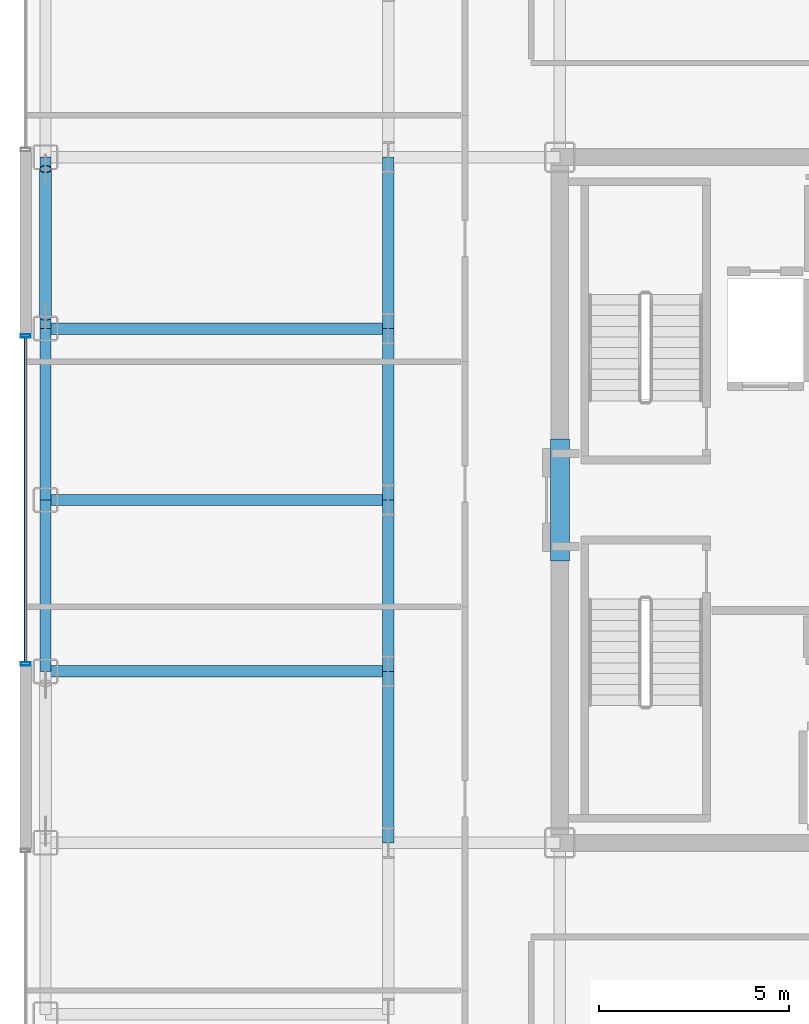
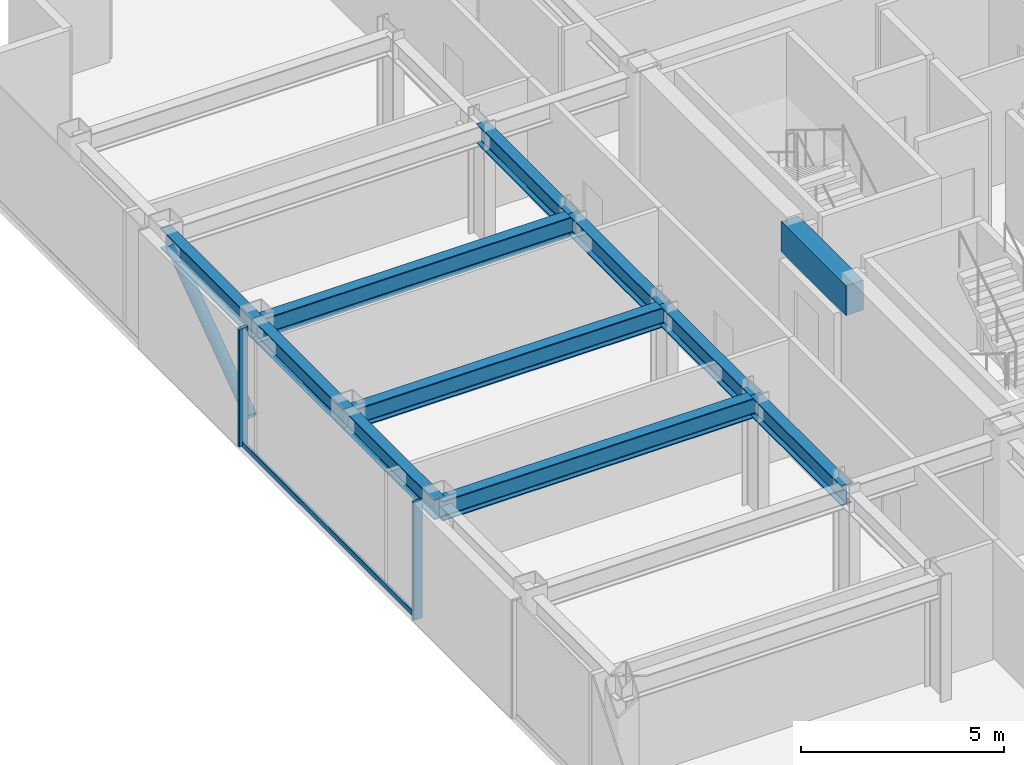
# One storey, part 5 of 22: 11 beams, 4 members, 1 element without a shape of its own.
"""IFC4 building model written with IfcOpenShell, lengths in metres."""

from ifc_helpers import new_model, si_unit, direction, frame, origin, origin_2d, place, context, subcontext, project, spatial, rectangle, hollow_rectangle, hollow_circle, i_section, extrude, source, transform, mapped, material, layer, layer_set, material_profile, profile_set, type_object, element, aggregate, save


model = new_model("IFC4")

# Units and contexts
model_context = context("Model", 3, precision=1e-05, world=origin(), true_north=direction((0.0, 1.0)))
body_context = subcontext(model_context, "Body", "Model", "MODEL_VIEW")
ifc_project = project(units=[si_unit("LENGTHUNIT", "METRE"), si_unit("AREAUNIT", "SQUARE_METRE"), si_unit("VOLUMEUNIT", "CUBIC_METRE"), si_unit("PLANEANGLEUNIT", "RADIAN"), si_unit("MASSUNIT", "GRAM", prefix="KILO")], contexts=[model_context])

# Site, building, storey
site_placement = place(None, origin())
site = spatial("IfcSite", under=ifc_project, at=site_placement, CompositionType="ELEMENT")
building_placement = place(site_placement, origin())
building = spatial("IfcBuilding", under=site, at=building_placement, Name="Nefas-Gora Pilgrimage Tower", CompositionType="ELEMENT")
storey_placement = place(building_placement, frame((0.0, 0.0, 218.0)))
storey = spatial("IfcBuildingStorey", under=building, at=storey_placement, Name="L54", CompositionType="ELEMENT", Elevation=218.0)

# Beams
ifc_material_1 = material(Name="Concrete C50/60", Category="concrete")
ifc_material_profile_1 = material_profile(ifc_material_1, rectangle(XDim=0.5, YDim=0.89990234375, at=origin_2d()), Name="RC 500x900")
ifc_profile_set_1 = profile_set([ifc_material_profile_1], Name="Concrete C50/60")
beam_type_1 = type_object("IfcBeamType", Name="BM-LIN-RC900", PredefinedType="LINTEL", material=ifc_profile_set_1)
shared_shape_1 = source(origin(), body_context, "Body", "SweptSolid", [
    extrude(rectangle(XDim=0.5, YDim=0.89990234375, at=origin_2d()), origin(), (0.0, 0.0, 1.0), 3.2001953125),
])
beam_placement = place(storey_placement, frame((-11.25, -1.60009765625, 3.10009765625), z_axis=(0.0, 1.0, 0.0), x_axis=(-1.0, 0.0, 0.0)))
element("IfcBeam", 1, at=beam_placement, inside=storey, type_object=beam_type_1, Name="L54 Core Coupling Lintel Beam W", PredefinedType="LINTEL", context=body_context, shape_type="MappedRepresentation", body=[
    mapped(shared_shape_1, transform((0.0, 0.0, 0.0), x_axis=(1.0, 0.0, 0.0), y_axis=(0.0, 1.0, 0.0), z_axis=(0.0, 0.0, 1.0), scale=1.0)),
])
ifc_material_2 = material(Name="Steel S355", Category="steel")
ifc_material_profile_2 = material_profile(ifc_material_2, i_section(OverallWidth=0.300048828125, OverallDepth=0.60009765625, WebThickness=0.015380859375, FlangeThickness=0.030029296875, FilletRadius=0.027099609375, at=origin_2d()), Name="HEB 600")
ifc_profile_set_2 = profile_set([ifc_material_profile_2], Name="Steel S355")
beam_type_2 = type_object("IfcBeamType", Name="BM-SPN-HEB450", PredefinedType="SPANDREL", material=ifc_profile_set_2)
shared_shape_2 = source(origin(), body_context, "Body", "SweptSolid", [
    extrude(i_section(OverallWidth=0.300048828125, OverallDepth=0.60009765625, WebThickness=0.015380859375, FlangeThickness=0.030029296875, FilletRadius=0.027099609375, at=origin_2d()), origin(), (0.0, 0.0, 1.0), 4.5),
])
for number, where, z_axis, x_axis, name in (
    (2, (-24.75, -4.5, 3.25), (0.0, 1.0, 0.0), (-1.0, 0.0, 0.0), "L54 SP-03 beam"),
    (3, (-24.75, 0.0, 3.25), (0.0, 1.0, 0.0), (-1.0, 0.0, 0.0), "L54 SP-03 beam"),
    (4, (-24.75, 4.5, 3.25), (0.0, 1.0, 0.0), (-1.0, 0.0, 0.0), "L54 SP-03 beam"),
):
    element("IfcBeam", number, at=place(storey_placement, frame(where, z_axis=z_axis, x_axis=x_axis)), inside=storey, type_object=beam_type_2, Name=name, PredefinedType="SPANDREL", context=body_context, shape_type="MappedRepresentation", body=[
        mapped(shared_shape_2, transform((0.0, 0.0, 0.0), x_axis=(1.0, 0.0, 0.0), y_axis=(0.0, 1.0, 0.0), z_axis=(0.0, 0.0, 1.0), scale=1.0)),
    ])
ifc_material_profile_3 = material_profile(ifc_material_2, i_section(OverallWidth=0.300048828125, OverallDepth=0.60009765625, WebThickness=0.015380859375, FlangeThickness=0.030029296875, FilletRadius=0.027099609375, at=origin_2d()), Name="HEB 600")
ifc_profile_set_3 = profile_set([ifc_material_profile_3], Name="Steel S355")
beam_type_3 = type_object("IfcBeamType", Name="BM-GIR-HEB600", PredefinedType="BEAM", material=ifc_profile_set_3)
shared_shape_3 = source(origin(), body_context, "Body", "SweptSolid", [
    extrude(i_section(OverallWidth=0.300048828125, OverallDepth=0.60009765625, WebThickness=0.015380859375, FlangeThickness=0.030029296875, FilletRadius=0.027099609375, at=origin_2d()), origin(), (0.0, 0.0, 1.0), 9.0),
])
for number, where, z_axis, x_axis, name in (
    (5, (-24.75, -4.5, 3.25), (1.0, 0.0, 0.0), (0.0, 1.0, 0.0), "L54 G-04 beam"),
    (6, (-24.75, 0.0, 3.25), (1.0, 0.0, 0.0), (0.0, 1.0, 0.0), "L54 G-04 beam"),
    (7, (-24.75, 4.5, 3.25), (1.0, 0.0, 0.0), (0.0, 1.0, 0.0), "L54 G-04 beam"),
):
    element("IfcBeam", number, at=place(storey_placement, frame(where, z_axis=z_axis, x_axis=x_axis)), inside=storey, type_object=beam_type_3, Name=name, PredefinedType="BEAM", context=body_context, shape_type="MappedRepresentation", body=[
        mapped(shared_shape_3, transform((0.0, 0.0, 0.0), x_axis=(1.0, 0.0, 0.0), y_axis=(0.0, 1.0, 0.0), z_axis=(0.0, 0.0, 1.0), scale=1.0)),
    ])
shared_shape_4 = source(origin(), body_context, "Body", "SweptSolid", [
    extrude(i_section(OverallWidth=0.300048828125, OverallDepth=0.60009765625, WebThickness=0.015380859375, FlangeThickness=0.030029296875, FilletRadius=0.027099609375, at=origin_2d()), origin(), (0.0, 0.0, 1.0), 4.5),
])
for number, where, z_axis, x_axis, name in (
    (8, (-15.75, -9.0, 3.25), (0.0, 1.0, 0.0), (-1.0, 0.0, 0.0), "L54 G-04 beam"),
    (9, (-15.75, -4.5, 3.25), (0.0, 1.0, 0.0), (-1.0, 0.0, 0.0), "L54 G-04 beam"),
    (10, (-15.75, 0.0, 3.25), (0.0, 1.0, 0.0), (-1.0, 0.0, 0.0), "L54 G-04 beam"),
    (11, (-15.75, 4.5, 3.25), (0.0, 1.0, 0.0), (-1.0, 0.0, 0.0), "L54 G-04 beam"),
):
    element("IfcBeam", number, at=place(storey_placement, frame(where, z_axis=z_axis, x_axis=x_axis)), inside=storey, type_object=beam_type_3, Name=name, PredefinedType="BEAM", context=body_context, shape_type="MappedRepresentation", body=[
        mapped(shared_shape_4, transform((0.0, 0.0, 0.0), x_axis=(1.0, 0.0, 0.0), y_axis=(0.0, 1.0, 0.0), z_axis=(0.0, 0.0, 1.0), scale=1.0)),
    ])

# Member
ifc_material_profile_4 = material_profile(ifc_material_2, hollow_circle(Radius=0.161865234375, WallThickness=0.02001953125, at=origin_2d()), Name="CHS 323.9x20")
ifc_profile_set_4 = profile_set([ifc_material_profile_4], Name="Steel S355")
member_type_1 = type_object("IfcMemberType", Name="MEM-TUBE-324", PredefinedType="BRACE", material=ifc_profile_set_4)
shared_shape_5 = source(origin(), body_context, "Body", "SweptSolid", [
    extrude(hollow_circle(Radius=0.161865234375, WallThickness=0.02001953125, at=origin_2d()), origin(), (0.0, 0.0, 1.0), 4.763671875),
])
member_1_placement = place(storey_placement, frame((-24.75, 4.81298828125, 0.3740234375), z_axis=(0.0, 0.813255312614, 0.581907034246), x_axis=(-1.0, 0.0, 0.0)))
element("IfcMember", 12, at=member_1_placement, inside=storey, type_object=member_type_1, Name="L54 Perimeter Tube Diagonal Brace W2", PredefinedType="BRACE", context=body_context, shape_type="MappedRepresentation", body=[
    mapped(shared_shape_5, transform((0.0, 0.0, 0.0), x_axis=(1.0, 0.0, 0.0), y_axis=(0.0, 1.0, 0.0), z_axis=(0.0, 0.0, 1.0), scale=1.0)),
])

# Curtain wall, members
ifc_material_3 = material(Name="Dark ceramic-fritted solar-control aluminium-glass curtain wall", Category="aluminium")
ifc_layer = layer(ifc_material_3, 0.219970703125)
ifc_layer_set = layer_set([ifc_layer], Name="Dark ceramic-fritted solar-control aluminium-glass curtain wall")
curtain_wall_type = type_object("IfcCurtainWallType", Name="CW-SYS-3", PredefinedType="NOTDEFINED", material=ifc_layer_set)
curtain_wall_placement = place(storey_placement, origin())
curtain_wall = element("IfcCurtainWall", 13, at=curtain_wall_placement, inside=storey, type_object=curtain_wall_type, Name="L54 Unitised Curtain Wall CW3", PredefinedType="NOTDEFINED")
ifc_material_4 = material(Name="Anodised architectural aluminium", Category="aluminium")
ifc_material_profile_5 = material_profile(ifc_material_4, hollow_rectangle(XDim=0.090087890625, YDim=0.260009765625, WallThickness=0.006103515625, InnerFilletRadius=0.006103515625, OuterFilletRadius=0.011962890625, at=origin_2d()), Name="ALU MULLION 90x260")
ifc_profile_set_5 = profile_set([ifc_material_profile_5], Name="Anodised architectural aluminium")
member_type_2 = type_object("IfcMemberType", Name="CWM-MUL-3", PredefinedType="MULLION", material=ifc_profile_set_5)
shared_shape_6 = source(origin(), body_context, "Body", "SweptSolid", [
    extrude(hollow_rectangle(XDim=0.090087890625, YDim=0.260009765625, WallThickness=0.006103515625, InnerFilletRadius=0.006103515625, OuterFilletRadius=0.011962890625, at=origin_2d()), origin(), (0.0, 0.0, 1.0), 3.550048828125),
])
member_2_placement = place(storey_placement, frame((-25.27001953125, 4.304931640625, 0.0), z_axis=(0.0, 0.0, 1.0), x_axis=(0.0, -1.0, 0.0)))
member_2 = element("IfcMember", 14, at=member_2_placement, type_object=member_type_2, Name="CW3 Mullion 1", PredefinedType="MULLION", context=body_context, shape_type="MappedRepresentation", body=[
    mapped(shared_shape_6, transform((0.0, 0.0, 0.0), x_axis=(1.0, 0.0, 0.0), y_axis=(0.0, 1.0, 0.0), z_axis=(0.0, 0.0, 1.0), scale=1.0)),
])
member_3_placement = place(storey_placement, frame((-25.27001953125, -4.304931640625, 0.0), z_axis=(0.0, 0.0, 1.0), x_axis=(0.0, -1.0, 0.0)))
member_3 = element("IfcMember", 15, at=member_3_placement, type_object=member_type_2, Name="CW3 Mullion 2", PredefinedType="MULLION", context=body_context, shape_type="MappedRepresentation", body=[
    mapped(shared_shape_6, transform((0.0, 0.0, 0.0), x_axis=(1.0, 0.0, 0.0), y_axis=(0.0, 1.0, 0.0), z_axis=(0.0, 0.0, 1.0), scale=1.0)),
])
ifc_material_profile_6 = material_profile(ifc_material_4, hollow_rectangle(XDim=0.080078125, YDim=0.159912109375, WallThickness=0.00439453125, InnerFilletRadius=0.00439453125, OuterFilletRadius=0.009033203125, at=origin_2d()), Name="ALU TRANSOM 80x160")
ifc_profile_set_6 = profile_set([ifc_material_profile_6], Name="Anodised architectural aluminium")
member_type_3 = type_object("IfcMemberType", Name="CWM-TRN-3", PredefinedType="USERDEFINED", material=ifc_profile_set_6)
shared_shape_7 = source(origin(), body_context, "Body", "SweptSolid", [
    extrude(hollow_rectangle(XDim=0.080078125, YDim=0.159912109375, WallThickness=0.00439453125, InnerFilletRadius=0.00439453125, OuterFilletRadius=0.009033203125, at=origin_2d()), origin(), (0.0, 0.0, 1.0), 8.52001953125),
])
member_4_placement = place(storey_placement, frame((-25.27001953125, 4.260009765625, 0.050048828125), z_axis=(0.0, -1.0, 0.0), x_axis=(1.0, 0.0, 0.0)))
member_4 = element("IfcMember", 16, at=member_4_placement, type_object=member_type_3, Name="CW3 Spandrel Transom", ObjectType="TRANSOM", PredefinedType="USERDEFINED", context=body_context, shape_type="MappedRepresentation", body=[
    mapped(shared_shape_7, transform((0.0, 0.0, 0.0), x_axis=(1.0, 0.0, 0.0), y_axis=(0.0, 1.0, 0.0), z_axis=(0.0, 0.0, 1.0), scale=1.0)),
])
aggregate(curtain_wall, [member_2, member_3, member_4])

save(model, "model.ifc")
